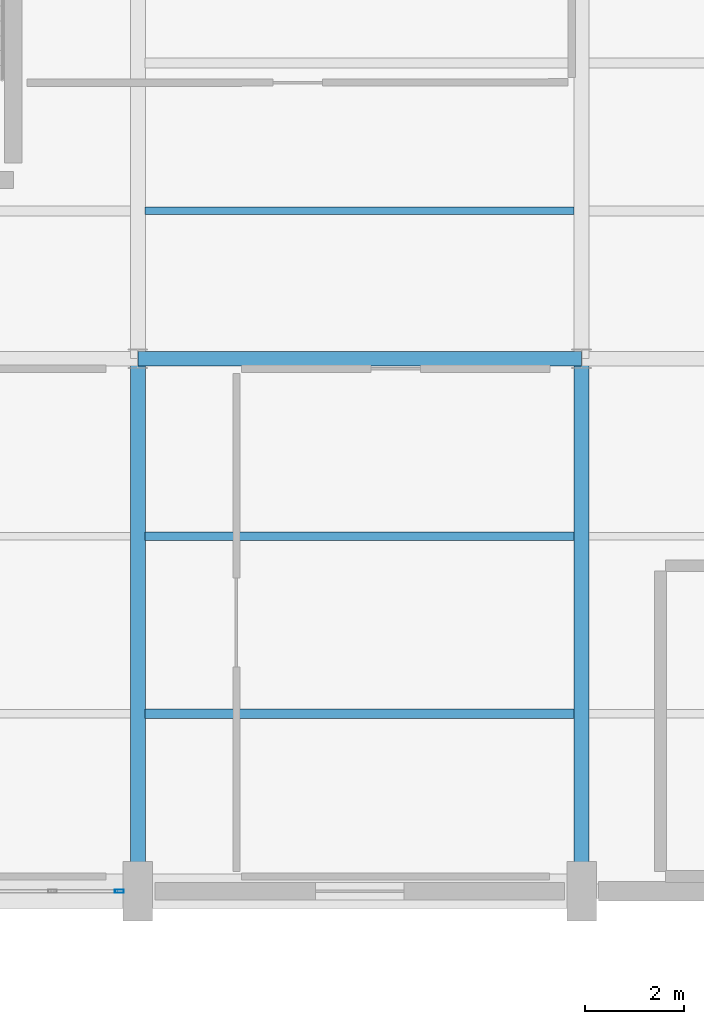
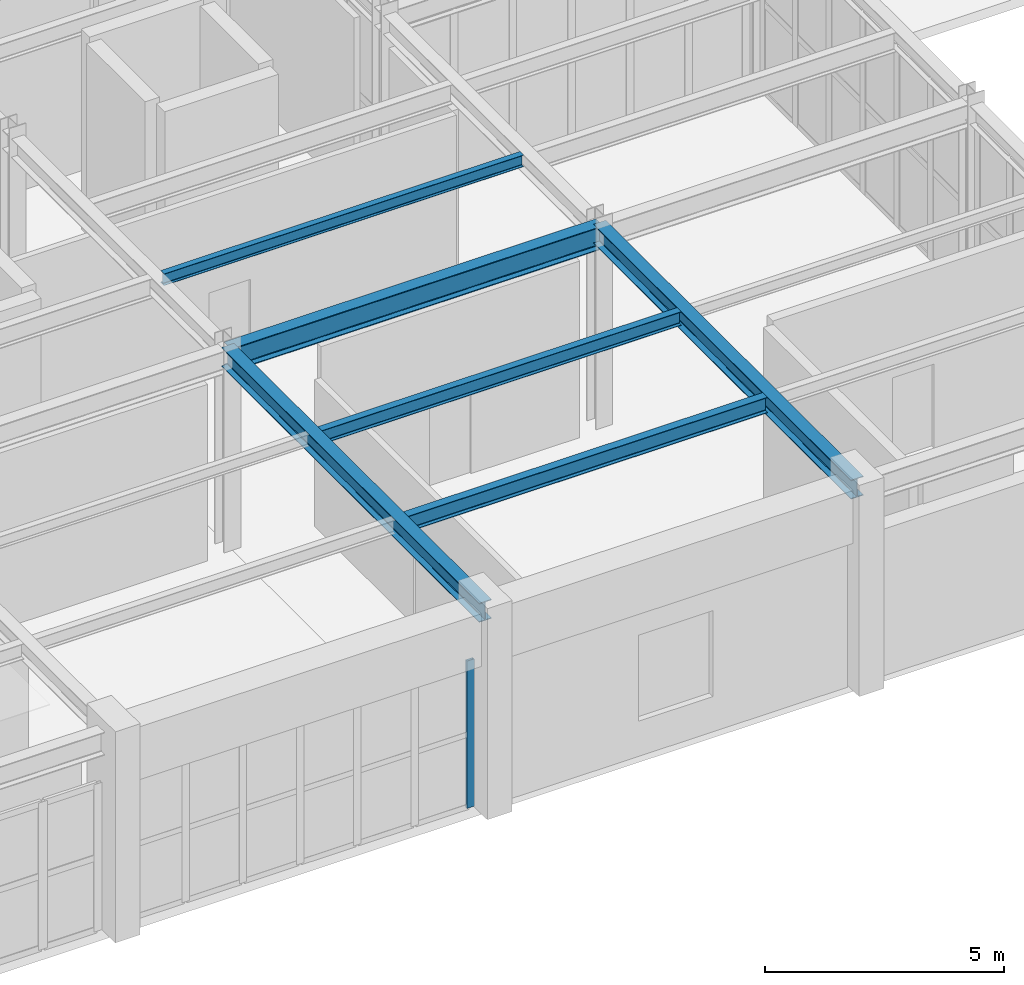
# One storey, part 28 of 140: 6 beams, 1 member, 1 element without a shape of its own.
"""IFC4 building model written with IfcOpenShell, lengths in metres."""

from ifc_helpers import new_model, si_unit, direction, frame, origin, origin_2d, place, context, subcontext, project, spatial, hollow_rectangle, i_section, extrude, material, material_profile, profile_set, type_object, element, aggregate, save


model = new_model("IFC4")

# Units and contexts
model_context = context("Model", 3, precision=1e-05, world=origin(), true_north=direction((0.0, 1.0)))
body_context = subcontext(model_context, "Body", "Model", "MODEL_VIEW")
ifc_project = project(units=[si_unit("LENGTHUNIT", "METRE"), si_unit("AREAUNIT", "SQUARE_METRE"), si_unit("VOLUMEUNIT", "CUBIC_METRE"), si_unit("PLANEANGLEUNIT", "RADIAN"), si_unit("MASSUNIT", "GRAM", prefix="KILO")], contexts=[model_context])

# Site, building, storey
site_placement = place(None, origin())
site = spatial("IfcSite", under=ifc_project, at=site_placement, CompositionType="ELEMENT")
building_placement = place(site_placement, origin())
building = spatial("IfcBuilding", under=site, at=building_placement, Name="Haizhuo Lancet Aquarium", CompositionType="ELEMENT")
storey_placement = place(building_placement, origin())
storey = spatial("IfcBuildingStorey", under=building, at=storey_placement, Name="L00", CompositionType="ELEMENT", Elevation=0.0)

# Beams
ifc_material_1 = material(Name="Steel S355", Category="steel")
ifc_material_profile_1 = material_profile(ifc_material_1, i_section(OverallWidth=0.300048828125, OverallDepth=0.488037109375, WebThickness=0.010986328125, FlangeThickness=0.01806640625, FilletRadius=0.02392578125, at=origin_2d()), Name="HM 488x300x11x18")
ifc_profile_set_1 = profile_set([ifc_material_profile_1], Name="Steel S355")
beam_type_1 = type_object("IfcBeamType", Name="BM-ST-HM488", PredefinedType="BEAM", material=ifc_profile_set_1)
for number, where, z_axis, x_axis, name in (
    (1, (0.0, -55.800048828125, 4.8759765625), (0.0, 1.0, 0.0), (-1.0, 0.0, 0.0), "L00 V4 primary girder BM-L00-V4-013"),
    (2, (9.0, -55.800048828125, 4.8759765625), (0.0, 1.0, 0.0), (-1.0, 0.0, 0.0), "L00 V4 primary girder BM-L00-V4-018"),
):
    element("IfcBeam", number, at=place(storey_placement, frame(where, z_axis=z_axis, x_axis=x_axis)), inside=storey, type_object=beam_type_1, Name=name, PredefinedType="BEAM", context=body_context, shape_type="SweptSolid", body=[
        extrude(i_section(OverallWidth=0.300048828125, OverallDepth=0.488037109375, WebThickness=0.010986328125, FlangeThickness=0.01806640625, FilletRadius=0.02392578125, at=origin_2d()), origin(), (0.0, 0.0, 1.0), 10.800048828125),
    ])
ifc_material_profile_2 = material_profile(ifc_material_1, i_section(OverallWidth=0.300048828125, OverallDepth=0.587890625, WebThickness=0.011962890625, FlangeThickness=0.02001953125, FilletRadius=0.02587890625, at=origin_2d()), Name="HM 588x300x12x20")
ifc_profile_set_2 = profile_set([ifc_material_profile_2], Name="Steel S355")
beam_type_2 = type_object("IfcBeamType", Name="BM-ST-HM588", PredefinedType="BEAM", material=ifc_profile_set_2)
beam_1_placement = place(storey_placement, frame((0.0, -45.0, 4.825927734375), z_axis=(1.0, 0.0, 0.0), x_axis=(0.0, 1.0, 0.0)))
element("IfcBeam", 3, at=beam_1_placement, inside=storey, type_object=beam_type_2, Name="L00 V4 primary girder BM-L00-V4-015", PredefinedType="BEAM", context=body_context, shape_type="SweptSolid", body=[
    extrude(i_section(OverallWidth=0.300048828125, OverallDepth=0.587890625, WebThickness=0.011962890625, FlangeThickness=0.02001953125, FilletRadius=0.02587890625, at=origin_2d()), origin(), (0.0, 0.0, 1.0), 9.0),
])

# Curtain wall, member
ifc_material_2 = material(Name="Aluminium 6063-T6", Category="aluminium")
curtain_wall_type = type_object("IfcCurtainWallType", Name="CWO-8310x3770", PredefinedType="NOTDEFINED", material=ifc_material_2)
curtain_wall_placement = place(storey_placement, origin())
curtain_wall = element("IfcCurtainWall", 4, at=curtain_wall_placement, inside=storey, type_object=curtain_wall_type, Name="L00 curtain wall CW-V4-L00-088", PredefinedType="NOTDEFINED")
ifc_material_profile_3 = material_profile(ifc_material_2, hollow_rectangle(XDim=0.06494140625, YDim=0.179931640625, WallThickness=0.00390625, at=origin_2d()), Name="ALU-M 65x180x4")
ifc_profile_set_3 = profile_set([ifc_material_profile_3], Name="Aluminium 6063-T6")
member_type = type_object("IfcMemberType", Name="CW-MUL-1", PredefinedType="MULLION", material=ifc_profile_set_3)
member_placement = place(storey_placement, frame((-0.376953125, -55.800048828125, 0.0), z_axis=(0.0, 0.0, 1.0), x_axis=(0.0, -1.0, 0.0)))
member = element("IfcMember", 5, at=member_placement, type_object=member_type, Name="CWO-83x37 mullion 1", PredefinedType="MULLION", context=body_context, shape_type="SweptSolid", body=[
    extrude(hollow_rectangle(XDim=0.06494140625, YDim=0.179931640625, WallThickness=0.00390625, at=origin_2d()), origin(), (0.0, 0.0, 1.0), 3.77001953125),
])
aggregate(curtain_wall, [member])

# Beams
ifc_material_profile_4 = material_profile(ifc_material_1, i_section(OverallWidth=0.14990234375, OverallDepth=0.300048828125, WebThickness=0.006591796875, FlangeThickness=0.009033203125, FilletRadius=0.012939453125, at=origin_2d()), Name="HN 300x150x6.5x9")
ifc_profile_set_4 = profile_set([ifc_material_profile_4], Name="Steel S355")
beam_type_3 = type_object("IfcBeamType", Name="JST-ST-HN300", PredefinedType="JOIST", material=ifc_profile_set_4)
beam_2_placement = place(storey_placement, frame((0.14990234375, -42.0, 4.969970703125), z_axis=(1.0, 0.0, 0.0), x_axis=(0.0, 1.0, 0.0)))
element("IfcBeam", 6, at=beam_2_placement, inside=storey, type_object=beam_type_3, Name="L00 V4 secondary floor joist 13", PredefinedType="JOIST", context=body_context, shape_type="SweptSolid", body=[
    extrude(i_section(OverallWidth=0.14990234375, OverallDepth=0.300048828125, WebThickness=0.006591796875, FlangeThickness=0.009033203125, FilletRadius=0.012939453125, at=origin_2d()), origin(), (0.0, 0.0, 1.0), 8.7001953125),
])
ifc_material_profile_5 = material_profile(ifc_material_1, i_section(OverallWidth=0.175048828125, OverallDepth=0.35009765625, WebThickness=0.007080078125, FlangeThickness=0.010986328125, FilletRadius=0.013916015625, at=origin_2d()), Name="HN 350x175x7x11")
ifc_profile_set_5 = profile_set([ifc_material_profile_5], Name="Steel S355")
beam_type_4 = type_object("IfcBeamType", Name="JST-ST-HN350", PredefinedType="JOIST", material=ifc_profile_set_5)
beam_3_placement = place(storey_placement, frame((0.14990234375, -48.60009765625, 4.945068359375), z_axis=(1.0, 0.0, 0.0), x_axis=(0.0, 1.0, 0.0)))
element("IfcBeam", 7, at=beam_3_placement, inside=storey, type_object=beam_type_4, Name="L00 V4 secondary floor joist 12", PredefinedType="JOIST", context=body_context, shape_type="SweptSolid", body=[
    extrude(i_section(OverallWidth=0.175048828125, OverallDepth=0.35009765625, WebThickness=0.007080078125, FlangeThickness=0.010986328125, FilletRadius=0.013916015625, at=origin_2d()), origin(), (0.0, 0.0, 1.0), 8.7001953125),
])
ifc_material_profile_6 = material_profile(ifc_material_1, i_section(OverallWidth=0.199951171875, OverallDepth=0.39990234375, WebThickness=0.008056640625, FlangeThickness=0.012939453125, FilletRadius=0.01611328125, at=origin_2d()), Name="HN 400x200x8x13")
ifc_profile_set_6 = profile_set([ifc_material_profile_6], Name="Steel S355")
beam_type_5 = type_object("IfcBeamType", Name="JST-ST-HN400", PredefinedType="JOIST", material=ifc_profile_set_6)
beam_4_placement = place(storey_placement, frame((0.14990234375, -52.199951171875, 4.919921875), z_axis=(1.0, 0.0, 0.0), x_axis=(0.0, 1.0, 0.0)))
element("IfcBeam", 8, at=beam_4_placement, inside=storey, type_object=beam_type_5, Name="L00 V4 secondary floor joist 11", PredefinedType="JOIST", context=body_context, shape_type="SweptSolid", body=[
    extrude(i_section(OverallWidth=0.199951171875, OverallDepth=0.39990234375, WebThickness=0.008056640625, FlangeThickness=0.012939453125, FilletRadius=0.01611328125, at=origin_2d()), origin(), (0.0, 0.0, 1.0), 8.7001953125),
])

save(model, "model.ifc")
